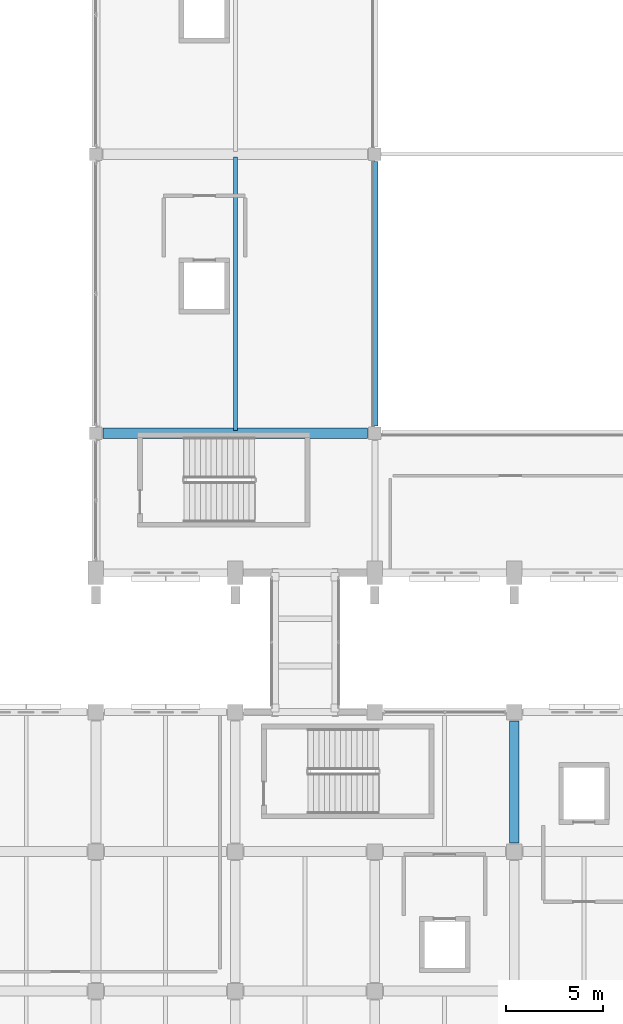
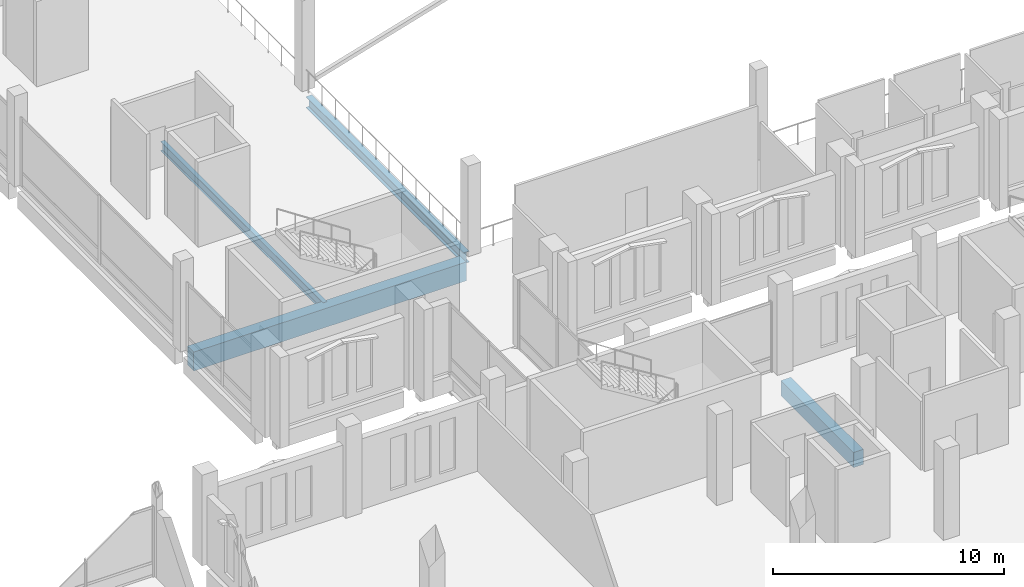
# One storey, part 93 of 220: 4 beams.
"""IFC4 building model written with IfcOpenShell, lengths in metres."""

from ifc_helpers import new_model, si_unit, direction, frame, origin, origin_2d, place, context, subcontext, project, spatial, rectangle, i_section, extrude, material, material_profile, profile_set, type_object, element, save


model = new_model("IFC4")

# Units and contexts
model_context = context("Model", 3, precision=1e-05, world=origin(), true_north=direction((0.0, 1.0)))
body_context = subcontext(model_context, "Body", "Model", "MODEL_VIEW")
ifc_project = project(units=[si_unit("LENGTHUNIT", "METRE"), si_unit("AREAUNIT", "SQUARE_METRE"), si_unit("VOLUMEUNIT", "CUBIC_METRE"), si_unit("PLANEANGLEUNIT", "RADIAN"), si_unit("MASSUNIT", "GRAM", prefix="KILO")], contexts=[model_context])

# Site, building, storey
site_placement = place(None, origin())
site = spatial("IfcSite", under=ifc_project, at=site_placement, CompositionType="ELEMENT")
building_placement = place(site_placement, origin())
building = spatial("IfcBuilding", under=site, at=building_placement, Name="Cendralis Lancet Convention Centre", CompositionType="ELEMENT")
storey_placement = place(building_placement, frame((0.0, 0.0, 5.39990234375)))
storey = spatial("IfcBuildingStorey", under=building, at=storey_placement, Name="L01", CompositionType="ELEMENT", Elevation=5.39990234375)

# Beams
ifc_material_1 = material(Name="Concrete G40 (C40/50)", Category="concrete")
ifc_material_profile_1 = material_profile(ifc_material_1, rectangle(XDim=0.550048828125, YDim=1.0, at=origin_2d()), Name="RCB 550x1000")
ifc_profile_set_1 = profile_set([ifc_material_profile_1], Name="Concrete G40 (C40/50)")
beam_type_1 = type_object("IfcBeamType", Name="STR-BM-BG05", PredefinedType="BEAM", material=ifc_profile_set_1)
beam_1_placement = place(storey_placement, frame((139.574951171875, 50.39990234375, -0.77978515625), z_axis=(1.0, 0.0, 0.0), x_axis=(0.0, 1.0, 0.0)))
element("IfcBeam", 1, at=beam_1_placement, inside=storey, type_object=beam_type_1, Name="L01 Beam BG05 #1412", PredefinedType="BEAM", context=body_context, shape_type="SweptSolid", body=[
    extrude(rectangle(XDim=0.550048828125, YDim=1.0, at=origin_2d()), origin(), (0.0, 0.0, 1.0), 13.650146484375),
])
ifc_material_2 = material(Name="Concrete G35 (C35/45)", Category="concrete")
ifc_material_profile_2 = material_profile(ifc_material_2, rectangle(XDim=0.5, YDim=0.800048828125, at=origin_2d()), Name="RCB 500x800")
ifc_profile_set_2 = profile_set([ifc_material_profile_2], Name="Concrete G35 (C35/45)")
beam_type_2 = type_object("IfcBeamType", Name="STR-BM-BG09", PredefinedType="BEAM", material=ifc_profile_set_2)
beam_2_placement = place(storey_placement, frame((160.800048828125, 29.25, -0.679931640625), z_axis=(0.0, 1.0, 0.0), x_axis=(-1.0, 0.0, 0.0)))
element("IfcBeam", 2, at=beam_2_placement, inside=storey, type_object=beam_type_2, Name="L01 Beam BG09 #0195", PredefinedType="BEAM", context=body_context, shape_type="SweptSolid", body=[
    extrude(rectangle(XDim=0.5, YDim=0.800048828125, at=origin_2d()), origin(), (0.0, 0.0, 1.0), 6.300048828125),
])
ifc_material_3 = material(Name="Steel S355", Category="steel")
ifc_material_profile_3 = material_profile(ifc_material_3, i_section(OverallWidth=0.300048828125, OverallDepth=0.590087890625, WebThickness=0.012939453125, FlangeThickness=0.02490234375, FilletRadius=0.027099609375, at=origin_2d()), Name="HEA 600")
ifc_profile_set_3 = profile_set([ifc_material_profile_3], Name="Steel S355")
beam_type_3 = type_object("IfcBeamType", Name="STR-BM-SG10", PredefinedType="BEAM", material=ifc_profile_set_3)
beam_3_placement = place(storey_placement, frame((153.60009765625, 50.77490234375, -0.574951171875), z_axis=(0.0, 1.0, 0.0), x_axis=(-1.0, 0.0, 0.0)))
element("IfcBeam", 3, at=beam_3_placement, inside=storey, type_object=beam_type_3, Name="L01 Beam SG10 #1428", PredefinedType="BEAM", context=body_context, shape_type="SweptSolid", body=[
    extrude(i_section(OverallWidth=0.300048828125, OverallDepth=0.590087890625, WebThickness=0.012939453125, FlangeThickness=0.02490234375, FilletRadius=0.027099609375, at=origin_2d()), origin(), (0.0, 0.0, 1.0), 13.650146484375),
])
ifc_material_profile_4 = material_profile(ifc_material_3, i_section(OverallWidth=0.199951171875, OverallDepth=0.5, WebThickness=0.01025390625, FlangeThickness=0.01611328125, FilletRadius=0.02099609375, at=origin_2d()), Name="IPE 500")
ifc_profile_set_4 = profile_set([ifc_material_profile_4], Name="Steel S355")
beam_type_4 = type_object("IfcBeamType", Name="STR-JS-BJ06", PredefinedType="JOIST", material=ifc_profile_set_4)
beam_4_placement = place(storey_placement, frame((146.39990234375, 50.550048828125, -0.52978515625), z_axis=(0.0, 1.0, 0.0), x_axis=(-1.0, 0.0, 0.0)))
element("IfcBeam", 4, at=beam_4_placement, inside=storey, type_object=beam_type_4, Name="L01 Beam BJ06 #1442", PredefinedType="JOIST", context=body_context, shape_type="SweptSolid", body=[
    extrude(i_section(OverallWidth=0.199951171875, OverallDepth=0.5, WebThickness=0.01025390625, FlangeThickness=0.01611328125, FilletRadius=0.02099609375, at=origin_2d()), origin(), (0.0, 0.0, 1.0), 14.099853515625),
])

save(model, "model.ifc")
